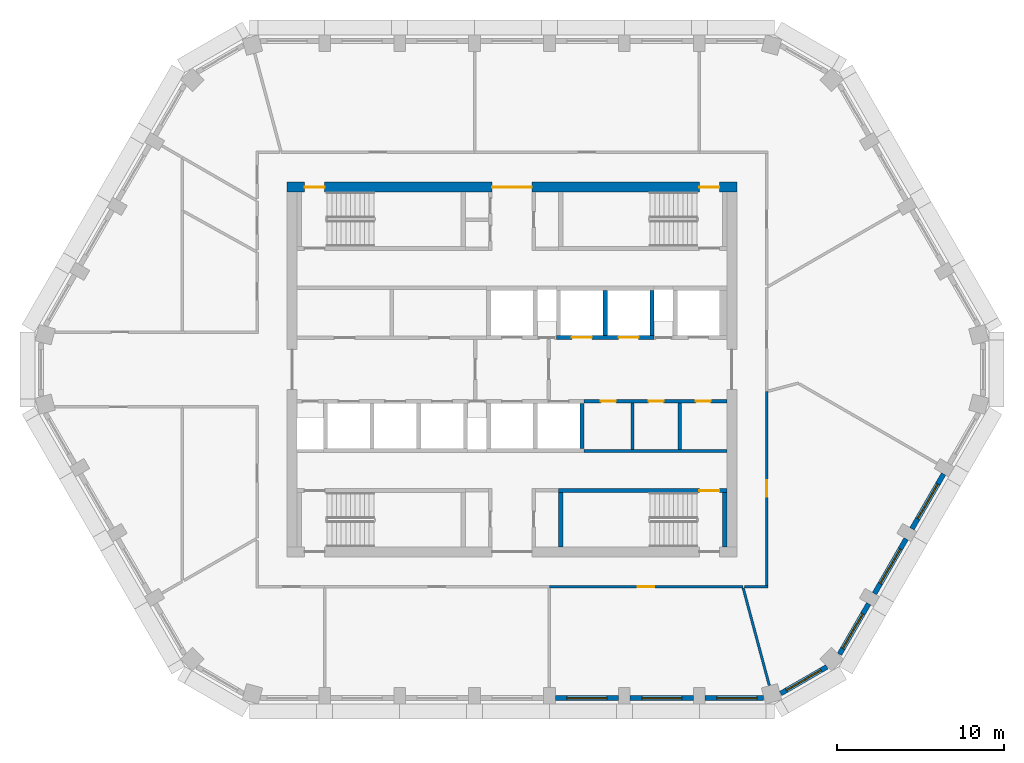
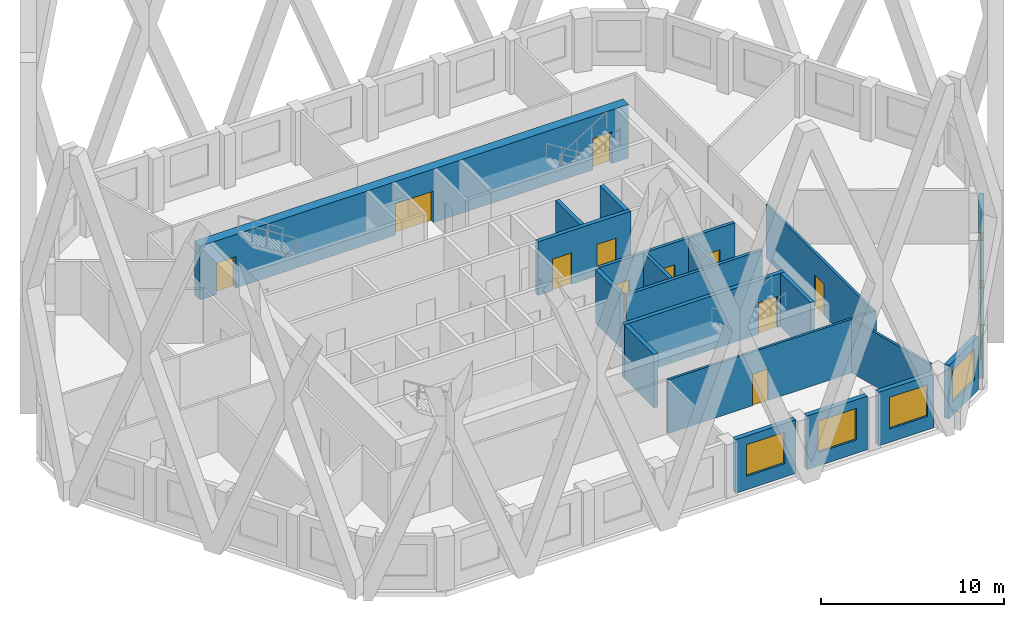
# One storey, part 4 of 13: 23 walls, 11 doors, 7 windows, 18 openings.
"""IFC4 building model written with IfcOpenShell, lengths in metres."""

from ifc_helpers import new_model, si_unit, direction, frame, frame_2d, origin, place, context, subcontext, project, spatial, polyline, rectangle, outline, extrude, material, layer, layer_set, type_object, element, fill, save


model = new_model("IFC4")

# Units and contexts
model_context = context("Model", 3, precision=1e-05, world=origin(), true_north=direction((0.0, 1.0)))
body_context = subcontext(model_context, "Body", "Model", "MODEL_VIEW")
ifc_project = project(units=[si_unit("LENGTHUNIT", "METRE"), si_unit("AREAUNIT", "SQUARE_METRE"), si_unit("VOLUMEUNIT", "CUBIC_METRE"), si_unit("PLANEANGLEUNIT", "RADIAN"), si_unit("MASSUNIT", "GRAM", prefix="KILO")], contexts=[model_context])

# Site, building, storey
site_placement = place(None, origin())
site = spatial("IfcSite", under=ifc_project, at=site_placement, CompositionType="ELEMENT")
building_placement = place(site_placement, origin())
building = spatial("IfcBuilding", under=site, at=building_placement, Name="Dhurran Vertical Campus", CompositionType="ELEMENT")
storey_placement = place(building_placement, frame((0.0, 0.0, 258.60009765625)))
storey = spatial("IfcBuildingStorey", under=building, at=storey_placement, Name="L64", CompositionType="ELEMENT", Elevation=258.60009765625)

# Wall, opening, window
ifc_material_1 = material(Name="Precast concrete C50/60", Category="concrete")
ifc_layer_1 = layer(ifc_material_1, 0.300048828125)
ifc_layer_set_1 = layer_set([ifc_layer_1], Name="Precast concrete C50/60")
wall_type_1 = type_object("IfcWallType", Name="Precast spandrel wall 300", PredefinedType="SOLIDWALL", material=ifc_layer_set_1)
wall_1_placement = place(storey_placement, frame((2.6005859375, -19.738525390625, 0.0), z_axis=(0.0, 0.0, 1.0), x_axis=(1.0, 0.0, 0.0)))
wall_1 = element("IfcWall", 1, at=wall_1_placement, inside=storey, type_object=wall_type_1, Name="EW1 L64.04", PredefinedType="SOLIDWALL", context=body_context, shape_type="SweptSolid", body=[
    extrude(rectangle(XDim=3.798828125, YDim=0.300048828125, at=frame_2d((1.8994140625, 0.0))), origin(), (0.0, 0.0, 1.0), 3.574951171875),
])
opening_1_placement = place(wall_1_placement, frame((0.699462890625, 0.0, 0.89990234375)))
opening_1 = element("IfcOpeningElement", 2, at=opening_1_placement, cuts=wall_1, Name="Opening WT1", PredefinedType="OPENING", context=body_context, shape_type="SweptSolid", body=[
    extrude(rectangle(XDim=2.39990234375, YDim=2.10009765625, at=frame_2d((1.199951171875, 1.050048828125))), frame((0.0, 0.159912109375, 0.0), z_axis=(0.0, -1.0, 0.0), x_axis=(1.0, 0.0, 0.0)), (0.0, 0.0, 1.0), 0.320068359375),
])
ifc_material_2 = material(Name="Aluminium frame with solar-control glass", Category="aluminium")
window_type = type_object("IfcWindowType", Name="Punched window 2400 x 2100", PartitioningType="SINGLE_PANEL", PredefinedType="WINDOW", material=ifc_material_2)
window_1_placement = place(opening_1_placement, origin())
window_1 = element("IfcWindow", 3, at=window_1_placement, inside=storey, type_object=window_type, Name="WT1 L64.04", OverallHeight=2.10009765625, OverallWidth=2.39990234375, PartitioningType="SINGLE_PANEL", PredefinedType="WINDOW", context=body_context, shape_type="SweptSolid", body=[
    extrude(rectangle(XDim=2.39990234375, YDim=2.10009765625, at=frame_2d((1.199951171875, 1.050048828125))), frame((0.0, 0.030029296875, 0.0), z_axis=(0.0, -1.0, 0.0), x_axis=(1.0, 0.0, 0.0)), (0.0, 0.0, 1.0), 0.06005859375),
])
fill(opening_1, window_1)

wall_2_placement = place(storey_placement, frame((7.1005859375, -19.738525390625, 0.0), z_axis=(0.0, 0.0, 1.0), x_axis=(1.0, 0.0, 0.0)))
wall_2 = element("IfcWall", 4, at=wall_2_placement, inside=storey, type_object=wall_type_1, Name="EW1 L64.05", PredefinedType="SOLIDWALL", context=body_context, shape_type="SweptSolid", body=[
    extrude(rectangle(XDim=3.798828125, YDim=0.300048828125, at=frame_2d((1.8994140625, 0.0))), origin(), (0.0, 0.0, 1.0), 3.574951171875),
])
opening_2_placement = place(wall_2_placement, frame((0.699462890625, 0.0, 0.89990234375)))
opening_2 = element("IfcOpeningElement", 5, at=opening_2_placement, cuts=wall_2, Name="Opening WT1", PredefinedType="OPENING", context=body_context, shape_type="SweptSolid", body=[
    extrude(rectangle(XDim=2.39990234375, YDim=2.10009765625, at=frame_2d((1.199951171875, 1.050048828125))), frame((0.0, 0.159912109375, 0.0), z_axis=(0.0, -1.0, 0.0), x_axis=(1.0, 0.0, 0.0)), (0.0, 0.0, 1.0), 0.320068359375),
])
window_2_placement = place(opening_2_placement, origin())
window_2 = element("IfcWindow", 6, at=window_2_placement, inside=storey, type_object=window_type, Name="WT1 L64.05", OverallHeight=2.10009765625, OverallWidth=2.39990234375, PartitioningType="SINGLE_PANEL", PredefinedType="WINDOW", context=body_context, shape_type="SweptSolid", body=[
    extrude(rectangle(XDim=2.39990234375, YDim=2.10009765625, at=frame_2d((1.199951171875, 1.050048828125))), frame((0.0, 0.030029296875, 0.0), z_axis=(0.0, -1.0, 0.0), x_axis=(1.0, 0.0, 0.0)), (0.0, 0.0, 1.0), 0.06005859375),
])
fill(opening_2, window_2)

wall_3_placement = place(storey_placement, frame((11.6005859375, -19.738525390625, 0.0), z_axis=(0.0, 0.0, 1.0), x_axis=(1.0, 0.0, 0.0)))
wall_3 = element("IfcWall", 7, at=wall_3_placement, inside=storey, type_object=wall_type_1, Name="EW1 L64.06", PredefinedType="SOLIDWALL", context=body_context, shape_type="SweptSolid", body=[
    extrude(rectangle(XDim=3.49755859375, YDim=0.300048828125, at=frame_2d((1.748779296875, 0.0))), origin(), (0.0, 0.0, 1.0), 3.574951171875),
])
opening_3_placement = place(wall_3_placement, frame((0.699462890625, 0.0, 0.89990234375)))
opening_3 = element("IfcOpeningElement", 8, at=opening_3_placement, cuts=wall_3, Name="Opening WT1", PredefinedType="OPENING", context=body_context, shape_type="SweptSolid", body=[
    extrude(rectangle(XDim=2.39990234375, YDim=2.10009765625, at=frame_2d((1.199951171875, 1.050048828125))), frame((0.0, 0.159912109375, 0.0), z_axis=(0.0, -1.0, 0.0), x_axis=(1.0, 0.0, 0.0)), (0.0, 0.0, 1.0), 0.320068359375),
])
window_3_placement = place(opening_3_placement, origin())
window_3 = element("IfcWindow", 9, at=window_3_placement, inside=storey, type_object=window_type, Name="WT1 L64.06", OverallHeight=2.10009765625, OverallWidth=2.39990234375, PartitioningType="SINGLE_PANEL", PredefinedType="WINDOW", context=body_context, shape_type="SweptSolid", body=[
    extrude(rectangle(XDim=2.39990234375, YDim=2.10009765625, at=frame_2d((1.199951171875, 1.050048828125))), frame((0.0, 0.030029296875, 0.0), z_axis=(0.0, -1.0, 0.0), x_axis=(1.0, 0.0, 0.0)), (0.0, 0.0, 1.0), 0.06005859375),
])
fill(opening_3, window_3)

wall_4_placement = place(storey_placement, frame((16.1396484375, -19.45947265625, 0.0), z_axis=(0.0, 0.0, 1.0), x_axis=(0.866025316205, 0.500000151692, 0.0)))
wall_4 = element("IfcWall", 10, at=wall_4_placement, inside=storey, type_object=wall_type_1, Name="EW1 L64.07", PredefinedType="SOLIDWALL", context=body_context, shape_type="SweptSolid", body=[
    extrude(rectangle(XDim=3.1962890625, YDim=0.300048828125, at=frame_2d((1.59814453125, 0.0))), origin(), (0.0, 0.0, 1.0), 3.574951171875),
])
opening_4_placement = place(wall_4_placement, frame((0.398193359375, 0.0, 0.89990234375)))
opening_4 = element("IfcOpeningElement", 11, at=opening_4_placement, cuts=wall_4, Name="Opening WT1", PredefinedType="OPENING", context=body_context, shape_type="SweptSolid", body=[
    extrude(rectangle(XDim=2.39990234375, YDim=2.10009765625, at=frame_2d((1.199951171875, 1.050048828125))), frame((0.0, 0.159912109375, 0.0), z_axis=(0.0, -1.0, 0.0), x_axis=(1.0, 0.0, 0.0)), (0.0, 0.0, 1.0), 0.320068359375),
])
window_4_placement = place(opening_4_placement, origin())
window_4 = element("IfcWindow", 12, at=window_4_placement, inside=storey, type_object=window_type, Name="WT1 L64.07", OverallHeight=2.10009765625, OverallWidth=2.39990234375, PartitioningType="SINGLE_PANEL", PredefinedType="WINDOW", context=body_context, shape_type="SweptSolid", body=[
    extrude(rectangle(XDim=2.39990234375, YDim=2.10009765625, at=frame_2d((1.199951171875, 1.050048828125))), frame((0.0, 0.030029296875, 0.0), z_axis=(0.0, -1.0, 0.0), x_axis=(1.0, 0.0, 0.0)), (0.0, 0.0, 1.0), 0.06005859375),
])
fill(opening_4, window_4)

wall_5_placement = place(storey_placement, frame((19.669921875, -17.09912109375, 0.0), z_axis=(0.0, 0.0, 1.0), x_axis=(0.499960102815, 0.866048437209, 0.0)))
wall_5 = element("IfcWall", 13, at=wall_5_placement, inside=storey, type_object=wall_type_1, Name="EW1 L64.08", PredefinedType="SOLIDWALL", context=body_context, shape_type="SweptSolid", body=[
    extrude(rectangle(XDim=3.497802734375, YDim=0.300048828125, at=frame_2d((1.7490234375, 0.0))), origin(), (0.0, 0.0, 1.0), 3.574951171875),
])
opening_5_placement = place(wall_5_placement, frame((0.398193359375, 0.0, 0.89990234375)))
opening_5 = element("IfcOpeningElement", 14, at=opening_5_placement, cuts=wall_5, Name="Opening WT1", PredefinedType="OPENING", context=body_context, shape_type="SweptSolid", body=[
    extrude(rectangle(XDim=2.39990234375, YDim=2.10009765625, at=frame_2d((1.199951171875, 1.050048828125))), frame((0.0, 0.159912109375, 0.0), z_axis=(0.0, -1.0, 0.0), x_axis=(1.0, 0.0, 0.0)), (0.0, 0.0, 1.0), 0.320068359375),
])
window_5_placement = place(opening_5_placement, origin())
window_5 = element("IfcWindow", 15, at=window_5_placement, inside=storey, type_object=window_type, Name="WT1 L64.08", OverallHeight=2.10009765625, OverallWidth=2.39990234375, PartitioningType="SINGLE_PANEL", PredefinedType="WINDOW", context=body_context, shape_type="SweptSolid", body=[
    extrude(rectangle(XDim=2.39990234375, YDim=2.10009765625, at=frame_2d((1.199951171875, 1.050048828125))), frame((0.0, 0.030029296875, 0.0), z_axis=(0.0, -1.0, 0.0), x_axis=(1.0, 0.0, 0.0)), (0.0, 0.0, 1.0), 0.06005859375),
])
fill(opening_5, window_5)

wall_6_placement = place(storey_placement, frame((21.769287109375, -13.462890625, 0.0), z_axis=(0.0, 0.0, 1.0), x_axis=(0.499982058975, 0.866035761792, 0.0)))
wall_6 = element("IfcWall", 16, at=wall_6_placement, inside=storey, type_object=wall_type_1, Name="EW1 L64.09", PredefinedType="SOLIDWALL", context=body_context, shape_type="SweptSolid", body=[
    extrude(rectangle(XDim=3.799072265625, YDim=0.300048828125, at=frame_2d((1.8994140625, 0.0))), origin(), (0.0, 0.0, 1.0), 3.574951171875),
])
opening_6_placement = place(wall_6_placement, frame((0.699462890625, 0.0, 0.89990234375)))
opening_6 = element("IfcOpeningElement", 17, at=opening_6_placement, cuts=wall_6, Name="Opening WT1", PredefinedType="OPENING", context=body_context, shape_type="SweptSolid", body=[
    extrude(rectangle(XDim=2.39990234375, YDim=2.10009765625, at=frame_2d((1.199951171875, 1.050048828125))), frame((0.0, 0.159912109375, 0.0), z_axis=(0.0, -1.0, 0.0), x_axis=(1.0, 0.0, 0.0)), (0.0, 0.0, 1.0), 0.320068359375),
])
window_6_placement = place(opening_6_placement, origin())
window_6 = element("IfcWindow", 18, at=window_6_placement, inside=storey, type_object=window_type, Name="WT1 L64.09", OverallHeight=2.10009765625, OverallWidth=2.39990234375, PartitioningType="SINGLE_PANEL", PredefinedType="WINDOW", context=body_context, shape_type="SweptSolid", body=[
    extrude(rectangle(XDim=2.39990234375, YDim=2.10009765625, at=frame_2d((1.199951171875, 1.050048828125))), frame((0.0, 0.030029296875, 0.0), z_axis=(0.0, -1.0, 0.0), x_axis=(1.0, 0.0, 0.0)), (0.0, 0.0, 1.0), 0.06005859375),
])
fill(opening_6, window_6)

wall_7_placement = place(storey_placement, frame((24.019287109375, -9.565673828125, 0.0), z_axis=(0.0, 0.0, 1.0), x_axis=(0.499982058975, 0.866035761792, 0.0)))
wall_7 = element("IfcWall", 19, at=wall_7_placement, inside=storey, type_object=wall_type_1, Name="EW1 L64.10", PredefinedType="SOLIDWALL", context=body_context, shape_type="SweptSolid", body=[
    extrude(rectangle(XDim=3.799072265625, YDim=0.300048828125, at=frame_2d((1.8994140625, 0.0))), origin(), (0.0, 0.0, 1.0), 3.574951171875),
])
opening_7_placement = place(wall_7_placement, frame((0.699462890625, 0.0, 0.89990234375)))
opening_7 = element("IfcOpeningElement", 20, at=opening_7_placement, cuts=wall_7, Name="Opening WT1", PredefinedType="OPENING", context=body_context, shape_type="SweptSolid", body=[
    extrude(rectangle(XDim=2.39990234375, YDim=2.10009765625, at=frame_2d((1.199951171875, 1.050048828125))), frame((0.0, 0.159912109375, 0.0), z_axis=(0.0, -1.0, 0.0), x_axis=(1.0, 0.0, 0.0)), (0.0, 0.0, 1.0), 0.320068359375),
])
window_7_placement = place(opening_7_placement, origin())
window_7 = element("IfcWindow", 21, at=window_7_placement, inside=storey, type_object=window_type, Name="WT1 L64.10", OverallHeight=2.10009765625, OverallWidth=2.39990234375, PartitioningType="SINGLE_PANEL", PredefinedType="WINDOW", context=body_context, shape_type="SweptSolid", body=[
    extrude(rectangle(XDim=2.39990234375, YDim=2.10009765625, at=frame_2d((1.199951171875, 1.050048828125))), frame((0.0, 0.030029296875, 0.0), z_axis=(0.0, -1.0, 0.0), x_axis=(1.0, 0.0, 0.0)), (0.0, 0.0, 1.0), 0.06005859375),
])
fill(opening_7, window_7)

# Wall, openings, doors
ifc_material_3 = material(Name="Concrete C50/60", Category="concrete")
ifc_layer_2 = layer(ifc_material_3, 0.60009765625)
ifc_layer_set_2 = layer_set([ifc_layer_2], Name="Concrete C50/60")
wall_type_2 = type_object("IfcWallType", Name="co-CORE-WALL-C2-600", PredefinedType="SHEAR", material=ifc_layer_set_2)
wall_8_placement = place(storey_placement, frame((-13.5, 10.949951171875, 0.0), z_axis=(0.0, 0.0, 1.0), x_axis=(1.0, 0.0, 0.0)))
wall_8 = element("IfcWall", 22, at=wall_8_placement, inside=storey, type_object=wall_type_2, Name="Core wall N L64", PredefinedType="SHEAR", context=body_context, shape_type="SweptSolid", body=[
    extrude(rectangle(XDim=27.0, YDim=0.60009765625, at=frame_2d((13.5, 0.0))), origin(), (0.0, 0.0, 1.0), 3.574951171875),
])
opening_8_placement = place(wall_8_placement, frame((12.300048828125, 0.0, 0.0)))
opening_8 = element("IfcOpeningElement", 23, at=opening_8_placement, cuts=wall_8, Name="Opening CV1", PredefinedType="OPENING", context=body_context, shape_type="SweptSolid", body=[
    extrude(rectangle(XDim=2.39990234375, YDim=2.10009765625, at=frame_2d((1.199951171875, 1.050048828125))), frame((0.0, 0.31005859375, 0.0), z_axis=(0.0, -1.0, 0.0), x_axis=(1.0, 0.0, 0.0)), (0.0, 0.0, 1.0), 0.6201171875),
])
opening_9_placement = place(wall_8_placement, frame((1.050048828125, 0.0, 0.0)))
opening_9 = element("IfcOpeningElement", 24, at=opening_9_placement, cuts=wall_8, Name="Opening XD1", PredefinedType="OPENING", context=body_context, shape_type="SweptSolid", body=[
    extrude(rectangle(XDim=1.199951171875, YDim=2.10009765625, at=frame_2d((0.60009765625, 1.050048828125))), frame((0.0, 0.31005859375, 0.0), z_axis=(0.0, -1.0, 0.0), x_axis=(1.0, 0.0, 0.0)), (0.0, 0.0, 1.0), 0.6201171875),
])
opening_10_placement = place(wall_8_placement, frame((24.75, 0.0, 0.0)))
opening_10 = element("IfcOpeningElement", 25, at=opening_10_placement, cuts=wall_8, Name="Opening XD2", PredefinedType="OPENING", context=body_context, shape_type="SweptSolid", body=[
    extrude(rectangle(XDim=1.199951171875, YDim=2.10009765625, at=frame_2d((0.60009765625, 1.050048828125))), frame((0.0, 0.31005859375, 0.0), z_axis=(0.0, -1.0, 0.0), x_axis=(1.0, 0.0, 0.0)), (0.0, 0.0, 1.0), 0.6201171875),
])
ifc_material_4 = material(Name="Fire-rated glazed door set")
door_type_1 = type_object("IfcDoorType", Name="co-D-LOBBY 2400x2100", OperationType="DOUBLE_DOOR_DOUBLE_SWING", PredefinedType="DOOR", material=ifc_material_4)
door_1_placement = place(opening_8_placement, origin())
door_1 = element("IfcDoor", 26, at=door_1_placement, inside=storey, type_object=door_type_1, Name="Core vestibule door N L64", OperationType="DOUBLE_DOOR_DOUBLE_SWING", OverallHeight=2.10009765625, OverallWidth=2.39990234375, PredefinedType="DOOR", context=body_context, shape_type="SweptSolid", body=[
    extrude(rectangle(XDim=2.39990234375, YDim=2.10009765625, at=frame_2d((1.199951171875, 1.050048828125))), frame((0.0, 0.02490234375, 0.0), z_axis=(0.0, -1.0, 0.0), x_axis=(1.0, 0.0, 0.0)), (0.0, 0.0, 1.0), 0.050048828125),
])
fill(opening_8, door_1)
ifc_material_5 = material(Name="Fire-rated steel door set", Category="steel")
door_type_2 = type_object("IfcDoorType", Name="co-D-STAIR-EXIT 1200x2100", OperationType="SINGLE_SWING_RIGHT", PredefinedType="DOOR", material=ifc_material_5)
door_2_placement = place(opening_9_placement, origin())
door_2 = element("IfcDoor", 27, at=door_2_placement, inside=storey, type_object=door_type_2, Name="Stair ST1 exit door L64", OperationType="SINGLE_SWING_RIGHT", OverallHeight=2.10009765625, OverallWidth=1.199951171875, PredefinedType="DOOR", context=body_context, shape_type="SweptSolid", body=[
    extrude(rectangle(XDim=1.199951171875, YDim=2.10009765625, at=frame_2d((0.60009765625, 1.050048828125))), frame((0.0, 0.02490234375, 0.0), z_axis=(0.0, -1.0, 0.0), x_axis=(1.0, 0.0, 0.0)), (0.0, 0.0, 1.0), 0.050048828125),
])
fill(opening_9, door_2)
door_3_placement = place(opening_10_placement, origin())
door_3 = element("IfcDoor", 28, at=door_3_placement, inside=storey, type_object=door_type_2, Name="Stair ST2 exit door L64", OperationType="SINGLE_SWING_RIGHT", OverallHeight=2.10009765625, OverallWidth=1.199951171875, PredefinedType="DOOR", context=body_context, shape_type="SweptSolid", body=[
    extrude(rectangle(XDim=1.199951171875, YDim=2.10009765625, at=frame_2d((0.60009765625, 1.050048828125))), frame((0.0, 0.02490234375, 0.0), z_axis=(0.0, -1.0, 0.0), x_axis=(1.0, 0.0, 0.0)), (0.0, 0.0, 1.0), 0.050048828125),
])
fill(opening_10, door_3)

# Walls
ifc_material_6 = material(Name="Fire-rated masonry blockwork", Category="masonry")
ifc_layer_3 = layer(ifc_material_6, 0.199951171875)
ifc_layer_set_3 = layer_set([ifc_layer_3], Name="Fire-rated masonry blockwork")
wall_type_3 = type_object("IfcWallType", Name="co-FIRE-PARTITION-200", PredefinedType="PARTITIONING", material=ifc_layer_set_3)
for number, where, z_axis, x_axis, name in (
    (29, (7.240478515625, -4.800048828125, 0.0), (0.0, 0.0, 1.0), (0.0, 1.0, 0.0), "Core partition fr-S2-cut0 L64"),
    (30, (10.0703125, -4.800048828125, 0.0), (0.0, 0.0, 1.0), (0.0, 1.0, 0.0), "Core partition fr-S2-cut1 L64"),
):
    element("IfcWall", number, at=place(storey_placement, frame(where, z_axis=z_axis, x_axis=x_axis)), inside=storey, type_object=wall_type_3, Name=name, PredefinedType="PARTITIONING", context=body_context, shape_type="SweptSolid", body=[
        extrude(rectangle(XDim=2.800048828125, YDim=0.199951171875, at=frame_2d((1.39990234375, 0.0))), origin(), (0.0, 0.0, 1.0), 3.574951171875),
    ])

# Wall, openings, doors
wall_9_placement = place(storey_placement, frame((4.324951171875, -1.89990234375, 0.0), z_axis=(0.0, 0.0, 1.0), x_axis=(1.0, 0.0, 0.0)))
wall_9 = element("IfcWall", 31, at=wall_9_placement, inside=storey, type_object=wall_type_3, Name="Core partition fr-S2-f L64", PredefinedType="PARTITIONING", context=body_context, shape_type="SweptSolid", body=[
    extrude(rectangle(XDim=8.574951171875, YDim=0.199951171875, at=frame_2d((4.28759765625, 0.0))), origin(), (0.0, 0.0, 1.0), 3.574951171875),
])
opening_11_placement = place(wall_9_placement, frame((1.0078125, 0.0, 0.0)))
opening_11 = element("IfcOpeningElement", 32, at=opening_11_placement, cuts=wall_9, Name="Opening T19-C12", PredefinedType="OPENING", context=body_context, shape_type="SweptSolid", body=[
    extrude(rectangle(XDim=0.89990234375, YDim=2.10009765625, at=frame_2d((0.449951171875, 1.050048828125))), frame((0.0, 0.10986328125, 0.0), z_axis=(0.0, -1.0, 0.0), x_axis=(1.0, 0.0, 0.0)), (0.0, 0.0, 1.0), 0.219970703125),
])
opening_12_placement = place(wall_9_placement, frame((3.88037109375, 0.0, 0.0)))
opening_12 = element("IfcOpeningElement", 33, at=opening_12_placement, cuts=wall_9, Name="Opening T19-C13", PredefinedType="OPENING", context=body_context, shape_type="SweptSolid", body=[
    extrude(rectangle(XDim=0.89990234375, YDim=2.10009765625, at=frame_2d((0.449951171875, 1.050048828125))), frame((0.0, 0.10986328125, 0.0), z_axis=(0.0, -1.0, 0.0), x_axis=(1.0, 0.0, 0.0)), (0.0, 0.0, 1.0), 0.219970703125),
])
opening_13_placement = place(wall_9_placement, frame((6.710205078125, 0.0, 0.0)))
opening_13 = element("IfcOpeningElement", 34, at=opening_13_placement, cuts=wall_9, Name="Opening T19-C14", PredefinedType="OPENING", context=body_context, shape_type="SweptSolid", body=[
    extrude(rectangle(XDim=0.89990234375, YDim=2.10009765625, at=frame_2d((0.449951171875, 1.050048828125))), frame((0.0, 0.10986328125, 0.0), z_axis=(0.0, -1.0, 0.0), x_axis=(1.0, 0.0, 0.0)), (0.0, 0.0, 1.0), 0.219970703125),
])
ifc_material_7 = material(Name="Fire-rated timber door set", Category="wood")
door_type_3 = type_object("IfcDoorType", Name="co-D-ROOM 900x2100", OperationType="SINGLE_SWING_LEFT", PredefinedType="DOOR", material=ifc_material_7)
door_4_placement = place(opening_11_placement, origin())
door_4 = element("IfcDoor", 35, at=door_4_placement, inside=storey, type_object=door_type_3, Name="Print room door L64", OperationType="SINGLE_SWING_LEFT", OverallHeight=2.10009765625, OverallWidth=0.89990234375, PredefinedType="DOOR", context=body_context, shape_type="SweptSolid", body=[
    extrude(rectangle(XDim=0.89990234375, YDim=2.10009765625, at=frame_2d((0.449951171875, 1.050048828125))), frame((0.0, 0.02490234375, 0.0), z_axis=(0.0, -1.0, 0.0), x_axis=(1.0, 0.0, 0.0)), (0.0, 0.0, 1.0), 0.050048828125),
])
fill(opening_11, door_4)
door_5_placement = place(opening_12_placement, origin())
door_5 = element("IfcDoor", 36, at=door_5_placement, inside=storey, type_object=door_type_3, Name="Plant room door L64", OperationType="SINGLE_SWING_LEFT", OverallHeight=2.10009765625, OverallWidth=0.89990234375, PredefinedType="DOOR", context=body_context, shape_type="SweptSolid", body=[
    extrude(rectangle(XDim=0.89990234375, YDim=2.10009765625, at=frame_2d((0.449951171875, 1.050048828125))), frame((0.0, 0.02490234375, 0.0), z_axis=(0.0, -1.0, 0.0), x_axis=(1.0, 0.0, 0.0)), (0.0, 0.0, 1.0), 0.050048828125),
])
fill(opening_12, door_5)
door_6_placement = place(opening_13_placement, origin())
door_6 = element("IfcDoor", 37, at=door_6_placement, inside=storey, type_object=door_type_3, Name="Cleaner's store door L64", OperationType="SINGLE_SWING_LEFT", OverallHeight=2.10009765625, OverallWidth=0.89990234375, PredefinedType="DOOR", context=body_context, shape_type="SweptSolid", body=[
    extrude(rectangle(XDim=0.89990234375, YDim=2.10009765625, at=frame_2d((0.449951171875, 1.050048828125))), frame((0.0, 0.02490234375, 0.0), z_axis=(0.0, -1.0, 0.0), x_axis=(1.0, 0.0, 0.0)), (0.0, 0.0, 1.0), 0.050048828125),
])
fill(opening_13, door_6)

# Wall
wall_10_placement = place(storey_placement, frame((4.324951171875, -4.89990234375, 0.0), z_axis=(0.0, 0.0, 1.0), x_axis=(1.0, 0.0, 0.0)))
element("IfcWall", 38, at=wall_10_placement, inside=storey, type_object=wall_type_3, Name="Core partition fr-S2-b L64", PredefinedType="PARTITIONING", context=body_context, shape_type="SweptSolid", body=[
    extrude(rectangle(XDim=8.574951171875, YDim=0.199951171875, at=frame_2d((4.28759765625, 0.0))), origin(), (0.0, 0.0, 1.0), 3.574951171875),
])

# Wall, openings, doors
ifc_material_8 = material(Name="Concrete C50/60", Category="concrete")
ifc_layer_4 = layer(ifc_material_8, 0.25)
ifc_layer_set_4 = layer_set([ifc_layer_4], Name="Concrete C50/60")
wall_type_4 = type_object("IfcWallType", Name="co-SHAFT-FRONT-250", PredefinedType="SHEAR", material=ifc_layer_set_4)
wall_11_placement = place(storey_placement, frame((2.675048828125, 1.925048828125, 0.0), z_axis=(0.0, 0.0, 1.0), x_axis=(1.0, 0.0, 0.0)))
wall_11 = element("IfcWall", 39, at=wall_11_placement, inside=storey, type_object=wall_type_4, Name="Lift landing wall N L64", PredefinedType="SHEAR", context=body_context, shape_type="SweptSolid", body=[
    extrude(rectangle(XDim=5.849853515625, YDim=0.25, at=frame_2d((2.9248046875, 0.0))), origin(), (0.0, 0.0, 1.0), 3.574951171875),
])
opening_14_placement = place(wall_11_placement, frame((0.925048828125, 0.0, 0.0)))
opening_14 = element("IfcOpeningElement", 40, at=opening_14_placement, cuts=wall_11, Name="Opening LD", PredefinedType="OPENING", context=body_context, shape_type="SweptSolid", body=[
    extrude(rectangle(XDim=1.199951171875, YDim=2.10009765625, at=frame_2d((0.60009765625, 1.050048828125))), frame((0.0, 0.135009765625, 0.0), z_axis=(0.0, -1.0, 0.0), x_axis=(1.0, 0.0, 0.0)), (0.0, 0.0, 1.0), 0.27001953125),
])
opening_15_placement = place(wall_11_placement, frame((3.72509765625, 0.0, 0.0)))
opening_15 = element("IfcOpeningElement", 41, at=opening_15_placement, cuts=wall_11, Name="Opening LD", PredefinedType="OPENING", context=body_context, shape_type="SweptSolid", body=[
    extrude(rectangle(XDim=1.199951171875, YDim=2.10009765625, at=frame_2d((0.60009765625, 1.050048828125))), frame((0.0, 0.135009765625, 0.0), z_axis=(0.0, -1.0, 0.0), x_axis=(1.0, 0.0, 0.0)), (0.0, 0.0, 1.0), 0.27001953125),
])
ifc_material_9 = material(Name="Stainless steel landing door", Category="steel")
door_type_4 = type_object("IfcDoorType", Name="co-D-LANDING 1200x2100", OperationType="DOUBLE_DOOR_SLIDING", PredefinedType="DOOR", material=ifc_material_9)
door_7_placement = place(opening_14_placement, origin())
door_7 = element("IfcDoor", 42, at=door_7_placement, inside=storey, type_object=door_type_4, Name="Landing door HR1 L64", OperationType="DOUBLE_DOOR_SLIDING", OverallHeight=2.10009765625, OverallWidth=1.199951171875, PredefinedType="DOOR", context=body_context, shape_type="SweptSolid", body=[
    extrude(rectangle(XDim=1.199951171875, YDim=2.10009765625, at=frame_2d((0.60009765625, 1.050048828125))), frame((0.0, 0.02490234375, 0.0), z_axis=(0.0, -1.0, 0.0), x_axis=(1.0, 0.0, 0.0)), (0.0, 0.0, 1.0), 0.050048828125),
])
fill(opening_14, door_7)
door_8_placement = place(opening_15_placement, origin())
door_8 = element("IfcDoor", 43, at=door_8_placement, inside=storey, type_object=door_type_4, Name="Landing door HR2 L64", OperationType="DOUBLE_DOOR_SLIDING", OverallHeight=2.10009765625, OverallWidth=1.199951171875, PredefinedType="DOOR", context=body_context, shape_type="SweptSolid", body=[
    extrude(rectangle(XDim=1.199951171875, YDim=2.10009765625, at=frame_2d((0.60009765625, 1.050048828125))), frame((0.0, 0.02490234375, 0.0), z_axis=(0.0, -1.0, 0.0), x_axis=(1.0, 0.0, 0.0)), (0.0, 0.0, 1.0), 0.050048828125),
])
fill(opening_15, door_8)

# Walls
ifc_material_10 = material(Name="Concrete C50/60", Category="concrete")
ifc_layer_5 = layer(ifc_material_10, 0.25)
ifc_layer_set_5 = layer_set([ifc_layer_5], Name="Concrete C50/60")
wall_type_5 = type_object("IfcWallType", Name="co-SHAFT-MASS-250", PredefinedType="SHEAR", material=ifc_layer_set_5)
wall_12_placement = place(storey_placement, origin())
element("IfcWall", 44, at=wall_12_placement, inside=storey, type_object=wall_type_5, Name="Lift shaft wall N L64 7", PredefinedType="SHEAR", context=body_context, shape_type="SweptSolid", body=[
    extrude(outline(polyline([(5.47509765625, 2.050048828125), (5.72509765625, 2.050048828125), (5.72509765625, 4.75), (5.47509765625, 4.75), (5.47509765625, 2.050048828125)])), origin(), (0.0, 0.0, 1.0), 3.574951171875),
])
wall_13_placement = place(storey_placement, origin())
element("IfcWall", 45, at=wall_13_placement, inside=storey, type_object=wall_type_5, Name="Lift shaft wall N L64 8", PredefinedType="SHEAR", context=body_context, shape_type="SweptSolid", body=[
    extrude(outline(polyline([(8.27490234375, 2.050048828125), (8.52490234375, 2.050048828125), (8.52490234375, 4.75), (8.27490234375, 4.75), (8.27490234375, 2.050048828125)])), origin(), (0.0, 0.0, 1.0), 3.574951171875),
])
wall_14_placement = place(storey_placement, origin())
element("IfcWall", 46, at=wall_14_placement, inside=storey, type_object=wall_type_5, Name="Lift shaft wall S L64 9", PredefinedType="SHEAR", context=body_context, shape_type="SweptSolid", body=[
    extrude(outline(polyline([(4.074951171875, -4.75), (4.324951171875, -4.75), (4.324951171875, -2.050048828125), (4.074951171875, -2.050048828125), (4.074951171875, -4.75)])), origin(), (0.0, 0.0, 1.0), 3.574951171875),
])

# Wall, opening, door
ifc_material_11 = material(Name="Concrete C40/50", Category="concrete")
ifc_layer_6 = layer(ifc_material_11, 0.25)
ifc_layer_set_6 = layer_set([ifc_layer_6], Name="Concrete C40/50")
wall_type_6 = type_object("IfcWallType", Name="co-STAIR-WALL-250", PredefinedType="SHEAR", material=ifc_layer_set_6)
wall_15_placement = place(storey_placement, frame((2.800048828125, -7.27490234375, 0.0), z_axis=(0.0, 0.0, 1.0), x_axis=(1.0, 0.0, 0.0)))
wall_15 = element("IfcWall", 47, at=wall_15_placement, inside=storey, type_object=wall_type_6, Name="Stair ST4 enclosure wall L64", PredefinedType="SHEAR", context=body_context, shape_type="SweptSolid", body=[
    extrude(rectangle(XDim=10.099853515625, YDim=0.25, at=frame_2d((5.0498046875, 0.0))), origin(), (0.0, 0.0, 1.0), 3.574951171875),
])
opening_16_placement = place(wall_15_placement, frame((8.449951171875, 0.0, 0.0)))
opening_16 = element("IfcOpeningElement", 48, at=opening_16_placement, cuts=wall_15, Name="Opening SD4", PredefinedType="OPENING", context=body_context, shape_type="SweptSolid", body=[
    extrude(rectangle(XDim=1.199951171875, YDim=2.10009765625, at=frame_2d((0.60009765625, 1.050048828125))), frame((0.0, 0.135009765625, 0.0), z_axis=(0.0, -1.0, 0.0), x_axis=(1.0, 0.0, 0.0)), (0.0, 0.0, 1.0), 0.27001953125),
])
ifc_material_12 = material(Name="Fire-rated steel door set", Category="steel")
door_type_5 = type_object("IfcDoorType", Name="co-D-STAIR 1200x2100", OperationType="SINGLE_SWING_LEFT", PredefinedType="DOOR", material=ifc_material_12)
door_9_placement = place(opening_16_placement, origin())
door_9 = element("IfcDoor", 49, at=door_9_placement, inside=storey, type_object=door_type_5, Name="Stair ST4 door L64", OperationType="SINGLE_SWING_LEFT", OverallHeight=2.10009765625, OverallWidth=1.199951171875, PredefinedType="DOOR", context=body_context, shape_type="SweptSolid", body=[
    extrude(rectangle(XDim=1.199951171875, YDim=2.10009765625, at=frame_2d((0.60009765625, 1.050048828125))), frame((0.0, 0.02490234375, 0.0), z_axis=(0.0, -1.0, 0.0), x_axis=(1.0, 0.0, 0.0)), (0.0, 0.0, 1.0), 0.050048828125),
])
fill(opening_16, door_9)

# Walls
for number, where, z_axis, x_axis, name in (
    (50, (2.925048828125, -10.64990234375, 0.0), (0.0, 0.0, 1.0), (0.0, 1.0, 0.0), "Stair ST4 enclosure wall L64"),
    (51, (12.77490234375, -10.64990234375, 0.0), (0.0, 0.0, 1.0), (0.0, 1.0, 0.0), "Stair ST4 enclosure wall L64"),
):
    element("IfcWall", number, at=place(storey_placement, frame(where, z_axis=z_axis, x_axis=x_axis)), inside=storey, type_object=wall_type_6, Name=name, PredefinedType="SHEAR", context=body_context, shape_type="SweptSolid", body=[
        extrude(rectangle(XDim=3.25, YDim=0.25, at=frame_2d((1.625, 0.0))), origin(), (0.0, 0.0, 1.0), 3.574951171875),
    ])

# Wall, opening, door
ifc_material_13 = material(Name="Gypsum board corridor wall on steel studs", Category="steel")
ifc_layer_7 = layer(ifc_material_13, 0.14990234375)
ifc_layer_set_7 = layer_set([ifc_layer_7], Name="Gypsum board corridor wall on steel studs")
wall_type_7 = type_object("IfcWallType", Name="fl-CW-150 corridor wall", PredefinedType="PARTITIONING", material=ifc_layer_set_7)
wall_16_placement = place(storey_placement, frame((2.25, -13.050048828125, 0.0), z_axis=(0.0, 0.0, 1.0), x_axis=(1.0, 0.0, 0.0)))
wall_16 = element("IfcWall", 52, at=wall_16_placement, inside=storey, type_object=wall_type_7, Name="Partition 64-27", PredefinedType="PARTITIONING", context=body_context, shape_type="SweptSolid", body=[
    extrude(rectangle(XDim=11.614013671875, YDim=0.14990234375, at=frame_2d((5.80712890625, 0.0))), origin(), (0.0, 0.0, 1.0), 3.574951171875),
])
opening_17_placement = place(wall_16_placement, frame((5.306884765625, 0.0, 0.0)))
opening_17 = element("IfcOpeningElement", 53, at=opening_17_placement, cuts=wall_16, Name="Opening T19.11", PredefinedType="OPENING", context=body_context, shape_type="SweptSolid", body=[
    extrude(rectangle(XDim=1.0, YDim=2.10009765625, at=frame_2d((0.5, 1.050048828125))), frame((0.0, 0.0849609375, 0.0), z_axis=(0.0, -1.0, 0.0), x_axis=(1.0, 0.0, 0.0)), (0.0, 0.0, 1.0), 0.169921875),
])
ifc_material_14 = material(Name="Solid-core timber door set, fire-rated", Category="wood")
door_type_6 = type_object("IfcDoorType", Name="fl-D-1000x2100", OperationType="SINGLE_SWING_LEFT", PredefinedType="DOOR", material=ifc_material_14)
door_10_placement = place(opening_17_placement, origin())
door_10 = element("IfcDoor", 54, at=door_10_placement, inside=storey, type_object=door_type_6, Name="Door 64.11", OperationType="SINGLE_SWING_RIGHT", OverallHeight=2.10009765625, OverallWidth=1.0, PredefinedType="DOOR", context=body_context, shape_type="SweptSolid", body=[
    extrude(rectangle(XDim=1.0, YDim=2.10009765625, at=frame_2d((0.5, 1.050048828125))), frame((0.0, 0.02490234375, 0.0), z_axis=(0.0, -1.0, 0.0), x_axis=(1.0, 0.0, 0.0)), (0.0, 0.0, 1.0), 0.050048828125),
])
fill(opening_17, door_10)

# Wall
wall_17_placement = place(storey_placement, frame((13.958984375, -13.050048828125, 0.0), z_axis=(0.0, 0.0, 1.0), x_axis=(1.0, 0.0, 0.0)))
element("IfcWall", 55, at=wall_17_placement, inside=storey, type_object=wall_type_7, Name="Partition 64-30", PredefinedType="PARTITIONING", context=body_context, shape_type="SweptSolid", body=[
    extrude(rectangle(XDim=1.416015625, YDim=0.14990234375, at=frame_2d((0.7080078125, 0.0))), origin(), (0.0, 0.0, 1.0), 3.574951171875),
])

# Wall, opening, door
wall_18_placement = place(storey_placement, frame((15.300048828125, -12.97509765625, 0.0), z_axis=(0.0, 0.0, 1.0), x_axis=(0.0, 1.0, 0.0)))
wall_18 = element("IfcWall", 56, at=wall_18_placement, inside=storey, type_object=wall_type_7, Name="Partition 64-32", PredefinedType="PARTITIONING", context=body_context, shape_type="SweptSolid", body=[
    extrude(rectangle(XDim=11.649169921875, YDim=0.14990234375, at=frame_2d((5.82470703125, 0.0))), origin(), (0.0, 0.0, 1.0), 3.574951171875),
])
opening_18_placement = place(wall_18_placement, frame((5.324462890625, 0.0, 0.0)))
opening_18 = element("IfcOpeningElement", 57, at=opening_18_placement, cuts=wall_18, Name="Opening T19.13", PredefinedType="OPENING", context=body_context, shape_type="SweptSolid", body=[
    extrude(rectangle(XDim=1.0, YDim=2.10009765625, at=frame_2d((0.5, 1.050048828125))), frame((0.0, 0.0849609375, 0.0), z_axis=(0.0, -1.0, 0.0), x_axis=(1.0, 0.0, 0.0)), (0.0, 0.0, 1.0), 0.169921875),
])
door_11_placement = place(opening_18_placement, origin())
door_11 = element("IfcDoor", 58, at=door_11_placement, inside=storey, type_object=door_type_6, Name="Door 64.13", OperationType="SINGLE_SWING_LEFT", OverallHeight=2.10009765625, OverallWidth=1.0, PredefinedType="DOOR", context=body_context, shape_type="SweptSolid", body=[
    extrude(rectangle(XDim=1.0, YDim=2.10009765625, at=frame_2d((0.5, 1.050048828125))), frame((0.0, 0.02490234375, 0.0), z_axis=(0.0, -1.0, 0.0), x_axis=(1.0, 0.0, 0.0)), (0.0, 0.0, 1.0), 0.050048828125),
])
fill(opening_18, door_11)

# Wall
ifc_material_15 = material(Name="Gypsum board partition on steel studs", Category="steel")
ifc_layer_8 = layer(ifc_material_15, 0.14990234375)
ifc_layer_set_8 = layer_set([ifc_layer_8], Name="Gypsum board partition on steel studs")
wall_type_8 = type_object("IfcWallType", Name="fl-PW-150 fixed partition", PredefinedType="PARTITIONING", material=ifc_layer_set_8)
wall_19_placement = place(storey_placement, frame((13.88330078125, -13.122314453125, 0.0), z_axis=(0.0, 0.0, 1.0), x_axis=(0.258896568031, -0.965905050749, 0.0)))
element("IfcWall", 59, at=wall_19_placement, inside=storey, type_object=wall_type_8, Name="Partition 64-31", PredefinedType="PARTITIONING", context=body_context, shape_type="SweptSolid", body=[
    extrude(rectangle(XDim=6.057861328125, YDim=0.14990234375, at=frame_2d((3.02880859375, 0.0))), origin(), (0.0, 0.0, 1.0), 3.574951171875),
])

save(model, "model.ifc")
